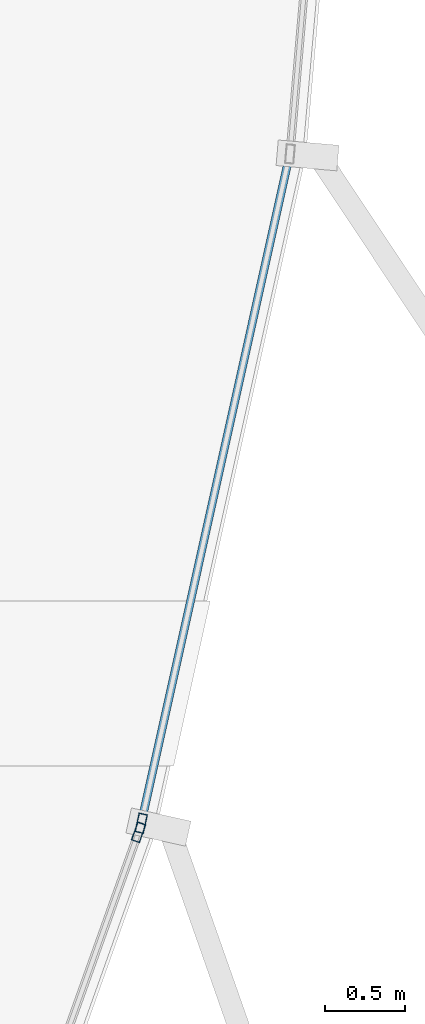
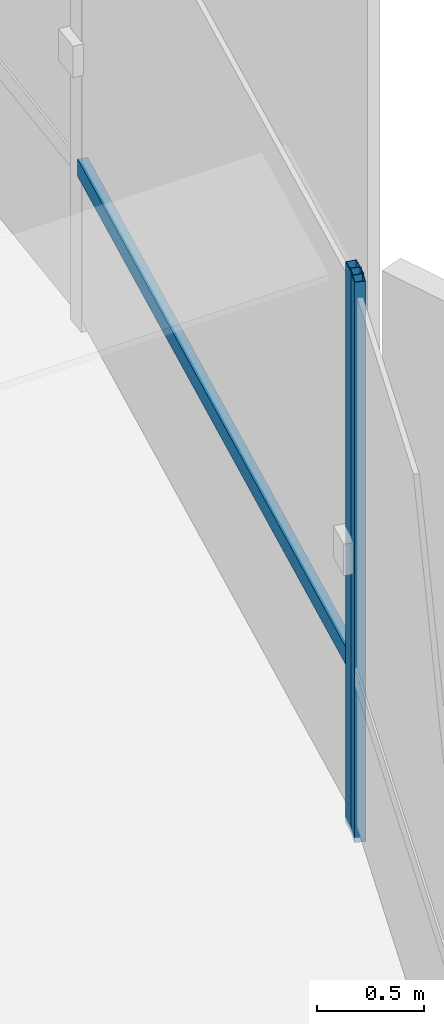
# One storey, part 16 of 36: 3 members, 2 elements without a shape of their own.
"""IFC4 building model written with IfcOpenShell, lengths in metres."""

from ifc_helpers import new_model, si_unit, direction, frame, origin, origin_2d, place, context, subcontext, project, spatial, hollow_rectangle, extrude, source, transform, mapped, material, layer, layer_set, material_profile, profile_set, type_object, element, aggregate, save


model = new_model("IFC4")

# Units and contexts
model_context = context("Model", 3, precision=1e-05, world=origin(), true_north=direction((0.0, 1.0)))
body_context = subcontext(model_context, "Body", "Model", "MODEL_VIEW")
ifc_project = project(units=[si_unit("LENGTHUNIT", "METRE"), si_unit("AREAUNIT", "SQUARE_METRE"), si_unit("VOLUMEUNIT", "CUBIC_METRE"), si_unit("PLANEANGLEUNIT", "RADIAN"), si_unit("MASSUNIT", "GRAM", prefix="KILO"), si_unit("THERMODYNAMICTEMPERATUREUNIT", "KELVIN")], contexts=[model_context])

# Site, building, storey
site_placement = place(None, origin())
site = spatial("IfcSite", under=ifc_project, at=site_placement, CompositionType="ELEMENT")
building_placement = place(site_placement, origin())
building = spatial("IfcBuilding", under=site, at=building_placement, Name="Kethvar Cultural Tower", CompositionType="ELEMENT")
storey_placement = place(building_placement, frame((0.0, 0.0, 242.199951171875)))
storey = spatial("IfcBuildingStorey", under=building, at=storey_placement, Name="L63", CompositionType="ELEMENT", Elevation=242.199951171875)

# Curtain wall, member
ifc_material = material(Name="Aluminium 6063-T6", Category="aluminium")
ifc_layer = layer(ifc_material, 0.179931640625, Name="Aluminium 6063-T6", Category="aluminium")
ifc_layer_set = layer_set([ifc_layer], Name="Aluminium 6063-T6 (180 mm)")
curtain_wall_type = type_object("IfcCurtainWallType", Name="CW-SYS-05-Z56", PredefinedType="NOTDEFINED", material=ifc_layer_set)
curtain_wall_1_placement = place(storey_placement, origin())
curtain_wall_1 = element("IfcCurtainWall", 1, at=curtain_wall_1_placement, inside=storey, type_object=curtain_wall_type, Name="L63 Curtain Wall Run 05", PredefinedType="NOTDEFINED")
ifc_material_profile_1 = material_profile(ifc_material, hollow_rectangle(XDim=0.054931640625, YDim=0.1201171875, WallThickness=0.00390625, at=origin_2d()), Name="Aluminium 6063-T6 — RHS120x55x4")
ifc_profile_set_1 = profile_set([ifc_material_profile_1], Name="Aluminium 6063-T6 — RHS120x55x4")
member_type_1 = type_object("IfcMemberType", Name="CW-SYS-05-Z56-MUL", PredefinedType="MULLION", material=ifc_profile_set_1)
shared_shape_1 = source(origin(), body_context, "Body", "SweptSolid", [
    extrude(hollow_rectangle(XDim=0.054931640625, YDim=0.1201171875, WallThickness=0.00390625, at=origin_2d()), origin(), (0.0, 0.0, 1.0), 3.2099609375),
])
member_1_placement = place(storey_placement, frame((67.260498046875, 27.047607421875, 0.0), z_axis=(0.0, 0.0, 1.0), x_axis=(-0.941846496409, 0.33604341565, 0.0)))
member_1 = element("IfcMember", 2, at=member_1_placement, type_object=member_type_1, Name="CW-L63-R05 Mullion 7", PredefinedType="MULLION", context=body_context, shape_type="MappedRepresentation", body=[
    mapped(shared_shape_1, transform((0.0, 0.0, 0.0), scale=1.0)),
])
aggregate(curtain_wall_1, [member_1])

# Curtain wall, members
curtain_wall_2_placement = place(storey_placement, origin())
curtain_wall_2 = element("IfcCurtainWall", 3, at=curtain_wall_2_placement, inside=storey, type_object=curtain_wall_type, Name="L63 Curtain Wall Run 06", PredefinedType="NOTDEFINED")
member_2_placement = place(storey_placement, frame((67.27685546875, 27.104248046875, 0.0), z_axis=(0.0, 0.0, 1.0), x_axis=(-0.976239309905, 0.216695200215, 0.0)))
member_2 = element("IfcMember", 4, at=member_2_placement, type_object=member_type_1, Name="CW-L63-R06 Mullion 1", PredefinedType="MULLION", context=body_context, shape_type="MappedRepresentation", body=[
    mapped(shared_shape_1, transform((0.0, 0.0, 0.0), scale=1.0)),
])
ifc_material_profile_2 = material_profile(ifc_material, hollow_rectangle(XDim=0.050048828125, YDim=0.10009765625, WallThickness=0.00390625, at=origin_2d()), Name="Aluminium 6063-T6 — RHS100x50x4")
ifc_profile_set_2 = profile_set([ifc_material_profile_2], Name="Aluminium 6063-T6 — RHS100x50x4")
member_type_2 = type_object("IfcMemberType", Name="CW-SYS-05-Z56-TRN", PredefinedType="USERDEFINED", material=ifc_profile_set_2)
shared_shape_2 = source(origin(), body_context, "Body", "SweptSolid", [
    extrude(hollow_rectangle(XDim=0.050048828125, YDim=0.10009765625, WallThickness=0.00390625, at=origin_2d()), origin(), (0.0, 0.0, 1.0), 4.243408203125),
])
member_3_placement = place(storey_placement, frame((67.277587890625, 27.10791015625, 0.949951171875), z_axis=(0.216729423725, 0.976231712706, 0.0), x_axis=(-0.976231712706, 0.216729423725, 0.0)))
member_3 = element("IfcMember", 5, at=member_3_placement, type_object=member_type_2, Name="CW-L63-R06 Transom 1", ObjectType="TRANSOM", PredefinedType="USERDEFINED", context=body_context, shape_type="MappedRepresentation", body=[
    mapped(shared_shape_2, transform((0.0, 0.0, 0.0), scale=1.0)),
])
aggregate(curtain_wall_2, [member_2, member_3])

save(model, "model.ifc")
